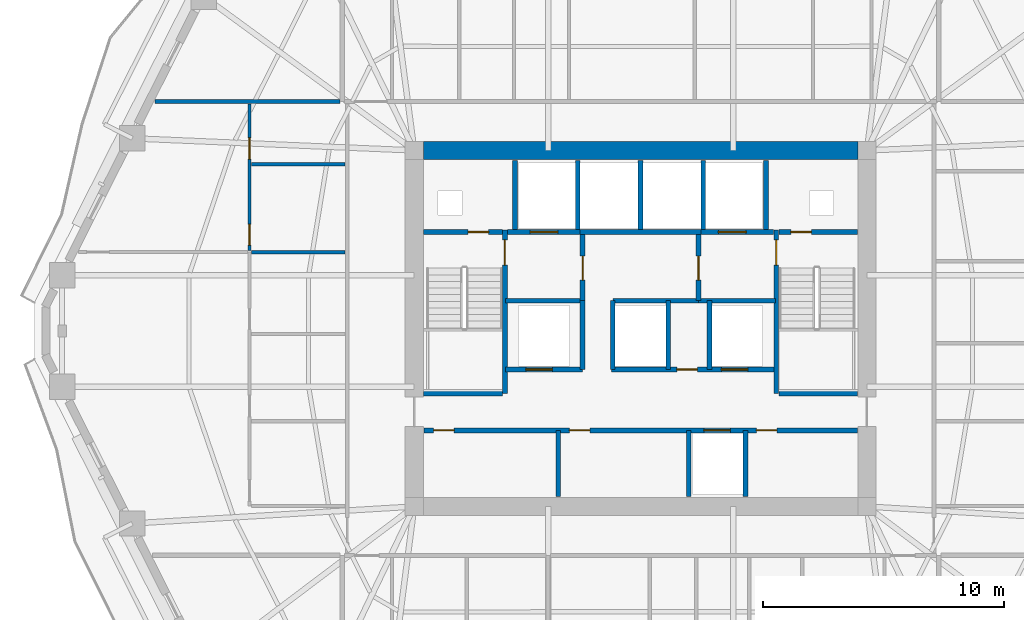
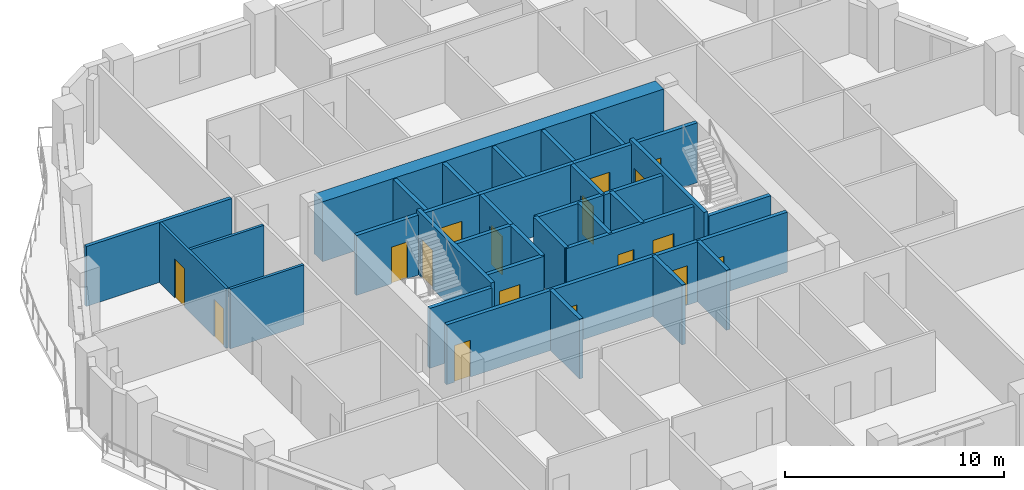
# One storey, part 5 of 12: 34 walls, 17 doors, 17 openings.
"""IFC4 building model written with IfcOpenShell, lengths in metres."""

import ifcopenshell
import ifcopenshell.guid

model = None  # the IFC model being written
_history = None  # IfcOwnerHistory: only IFC2X3 demands one
_inside = {}  # id of a spatial element -> (the spatial element, [elements in it])
_under = {}  # id of a project, library or spatial element -> (it, [spatial elements below it])
_declared = {}  # id of a project -> (the project, [libraries it declares])
_typed = {}  # id of a type object -> (the type object, [elements of that type])
_made_of = {}  # id of a material, layer set ... -> (it, [elements and type objects made of it])


def new_model(schema):
    """Start an empty IFC model of exactly this schema.

    Asked for "IFC4X3", IfcOpenShell would pick the latest addendum, in which some entities
    have other attributes; the version numbers below select the first issue.
    IFC2X3 requires an IfcOwnerHistory on every rooted entity: one is made here for all.
    """
    global model, _history
    if schema == "IFC4X3":
        model = ifcopenshell.file(schema_version=(4, 3, 0, 0))
    else:
        model = ifcopenshell.file(schema=schema)
    _inside.clear()
    _under.clear()
    _declared.clear()
    _typed.clear()
    _made_of.clear()
    _history = None
    if model.schema == "IFC2X3":
        org = make("IfcOrganization", Name="unknown")
        user = make(
            "IfcPersonAndOrganization",
            ThePerson=make("IfcPerson", FamilyName="unknown"),
            TheOrganization=org,
        )
        app = make(
            "IfcApplication",
            ApplicationDeveloper=org,
            Version="unknown",
            ApplicationFullName="unknown",
            ApplicationIdentifier="unknown",
        )
        _history = make(
            "IfcOwnerHistory",
            OwningUser=user,
            OwningApplication=app,
            ChangeAction="ADDED",
            CreationDate=0,
        )
    return model


def make(cls, **values):
    """One entity of the class cls with the attributes given. An attribute that is None is left unset."""
    return model.create_entity(
        cls, **{name: value for name, value in values.items() if value is not None}
    )


def rooted(cls, **values):
    """An entity with a GlobalId (a new one), such as an element, a storey or a relation."""
    return make(cls, GlobalId=ifcopenshell.guid.new(), OwnerHistory=_history, **values)


def si_unit(unit_type, name, prefix=None):
    """IfcSIUnit, for example si_unit("LENGTHUNIT", "METRE", prefix="MILLI")."""
    return make("IfcSIUnit", UnitType=unit_type, Prefix=prefix, Name=name)


def assignment(units):
    """IfcUnitAssignment: the units of a project."""
    return None if units is None else make("IfcUnitAssignment", Units=units)


def point(xyz):
    """IfcCartesianPoint."""
    return None if xyz is None else make("IfcCartesianPoint", Coordinates=xyz)


def direction(xyz):
    """IfcDirection."""
    return None if xyz is None else make("IfcDirection", DirectionRatios=xyz)


def frame(location, z_axis=None, x_axis=None):
    """IfcAxis2Placement3D, a coordinate frame: its origin and axes. An axis left out is left unset."""
    return make(
        "IfcAxis2Placement3D",
        Location=point(location),
        Axis=direction(z_axis),
        RefDirection=direction(x_axis),
    )


def frame_2d(location, x_axis=None):
    """IfcAxis2Placement2D, a coordinate frame in the plane: its origin and x axis."""
    return make(
        "IfcAxis2Placement2D", Location=point(location), RefDirection=direction(x_axis)
    )


def origin():
    """The frame at (0, 0, 0) with its axes left unset."""
    return frame((0.0, 0.0, 0.0))


def place(relative_to, where):
    """IfcLocalPlacement: puts the frame where relative to a parent placement (None: the world)."""
    return make(
        "IfcLocalPlacement", PlacementRelTo=relative_to, RelativePlacement=where
    )


def context(
    kind, dimensions, precision=None, world=None, true_north=None, identifier=None
):
    """IfcGeometricRepresentationContext, for example the 3D "Model" context."""
    return make(
        "IfcGeometricRepresentationContext",
        ContextIdentifier=identifier,
        ContextType=kind,
        CoordinateSpaceDimension=dimensions,
        Precision=precision,
        WorldCoordinateSystem=world,
        TrueNorth=true_north,
    )


def subcontext(parent, identifier, kind, view, scale=None):
    """IfcGeometricRepresentationSubContext, for example "Body" below "Model"."""
    return make(
        "IfcGeometricRepresentationSubContext",
        ContextIdentifier=identifier,
        ContextType=kind,
        ParentContext=parent,
        TargetScale=scale,
        TargetView=view,
    )


def project(units=None, contexts=None):
    """IfcProject with its units and contexts."""
    return rooted(
        "IfcProject",
        Name="project",
        RepresentationContexts=contexts,
        UnitsInContext=assignment(units),
    )


def spatial(cls, under=None, at=None, **own):
    """A site, building, storey or space (cls), placed at a placement, below another one or the project."""
    s = rooted(cls, ObjectPlacement=at, **own)
    if under is not None:
        _under.setdefault(under.id(), (under, []))[1].append(s)
    return s


def profile(cls, at=None, kind="AREA", **sizes):
    """A parametric profile (cls). Its sizes go by their IFC names, for example OverallWidth=200.0."""
    return make(cls, ProfileType=kind, Position=at, **sizes)


def rectangle(**sizes):
    """IfcRectangleProfileDef."""
    return profile("IfcRectangleProfileDef", **sizes)


def extrude(swept, where, along, depth):
    """IfcExtrudedAreaSolid: the profile swept, set in the frame where, extruded along a direction by depth."""
    return make(
        "IfcExtrudedAreaSolid",
        SweptArea=swept,
        Position=where,
        ExtrudedDirection=direction(along),
        Depth=depth,
    )


def shape(context_of_items, identifier, shape_type, items):
    """IfcShapeRepresentation: the items that make up one representation, for example the "Body"."""
    return make(
        "IfcShapeRepresentation",
        ContextOfItems=context_of_items,
        RepresentationIdentifier=identifier,
        RepresentationType=shape_type,
        Items=items,
    )


def material(Name=None, Category=None):
    """IfcMaterial."""
    return make("IfcMaterial", Name=Name, Category=Category)


def layer(
    of_material, thickness, ventilated=None, Name=None, Category=None, Priority=None
):
    """IfcMaterialLayer: one layer of a wall or slab, of a material (None: an air gap)."""
    return make(
        "IfcMaterialLayer",
        Material=of_material,
        LayerThickness=thickness,
        IsVentilated=ventilated,
        Name=Name,
        Category=Category,
        Priority=Priority,
    )


def layer_set(layers, Name=None):
    """IfcMaterialLayerSet."""
    return make("IfcMaterialLayerSet", MaterialLayers=layers, LayerSetName=Name)


def made_of(thing, what):
    """Note that an element or type object is made of a material, layer set ...; save() writes the relation."""
    if what is not None:
        _made_of.setdefault(what.id(), (what, []))[1].append(thing)
    return thing


def type_object(cls, material=None, **own):
    """A type object (cls), such as IfcWallType, which elements share."""
    return made_of(rooted(cls, **own), material)


def element(
    cls,
    number,
    at=None,
    inside=None,
    cuts=None,
    type_object=None,
    material=None,
    context=None,
    identifier="Body",
    shape_type=None,
    held_by="IfcProductDefinitionShape",
    body=None,
    shapes=None,
    **own,
):
    """One element of the class cls, such as IfcWall. Its Tag is "e" and its number.

    at: its placement. inside: the storey or other place that contains it. cuts: it is an
    opening in that element (IfcRelVoidsElement). A single representation is given by context,
    identifier, shape_type and body (its items); several are given by shapes. held_by: the class
    of the entity that holds the representations. save() writes the other relations.
    """
    e = rooted(cls, Tag="e%d" % number, ObjectPlacement=at, **own)
    if body is not None:
        shapes = [shape(context, identifier, shape_type, body)]
    if shapes is not None:
        e.Representation = make(held_by, Representations=shapes)
    if inside is not None:
        _inside.setdefault(inside.id(), (inside, []))[1].append(e)
    if cuts is not None:
        rooted(
            "IfcRelVoidsElement", RelatingBuildingElement=cuts, RelatedOpeningElement=e
        )
    if type_object is not None:
        _typed.setdefault(type_object.id(), (type_object, []))[1].append(e)
    return made_of(e, material)


def fill(opening, filler):
    """IfcRelFillsElement: the door or window that sits in an opening."""
    return rooted(
        "IfcRelFillsElement",
        RelatingOpeningElement=opening,
        RelatedBuildingElement=filler,
    )


def aggregate(whole, parts):
    """IfcRelAggregates: a whole, such as a stair, and the parts it consists of."""
    return rooted("IfcRelAggregates", RelatingObject=whole, RelatedObjects=parts)


def save(model, path):
    """Write the relations noted so far, then the file.

    IfcRelAggregates (storeys below a building ...), IfcRelContainedInSpatialStructure (elements
    in a storey), IfcRelDefinesByType, IfcRelAssociatesMaterial and IfcRelDeclares: one each for
    every whole, place, type object, material and project.
    """
    for whole, parts in _under.values():
        aggregate(whole, parts)
    for where, things in _inside.values():
        rooted(
            "IfcRelContainedInSpatialStructure",
            RelatedElements=things,
            RelatingStructure=where,
        )
    for kind, things in _typed.values():
        rooted("IfcRelDefinesByType", RelatedObjects=things, RelatingType=kind)
    for what, things in _made_of.values():
        rooted("IfcRelAssociatesMaterial", RelatedObjects=things, RelatingMaterial=what)
    for by, libraries in _declared.values():
        rooted("IfcRelDeclares", RelatingContext=by, RelatedDefinitions=libraries)
    model.write(path)


model = new_model("IFC4")

# Units and contexts
model_context = context("Model", 3, precision=1e-05, world=origin(), true_north=direction((0.0, 1.0)))
body_context = subcontext(model_context, "Body", "Model", "MODEL_VIEW")
ifc_project = project(units=[si_unit("LENGTHUNIT", "METRE"), si_unit("AREAUNIT", "SQUARE_METRE"), si_unit("VOLUMEUNIT", "CUBIC_METRE"), si_unit("PLANEANGLEUNIT", "RADIAN"), si_unit("MASSUNIT", "GRAM", prefix="KILO")], contexts=[model_context])

# Site, building, storey
site_placement = place(None, origin())
site = spatial("IfcSite", under=ifc_project, at=site_placement, CompositionType="ELEMENT")
building_placement = place(site_placement, origin())
building = spatial("IfcBuilding", under=site, at=building_placement, Name="Cinnabar Lancet Tower", CompositionType="ELEMENT")
storey_placement = place(building_placement, frame((0.0, 0.0, 126.800048828125)))
storey = spatial("IfcBuildingStorey", under=building, at=storey_placement, Name="L33", CompositionType="ELEMENT", Elevation=126.800048828125)

# Walls
ifc_material_1 = material(Name="Fire-rated twin-frame acoustic drywall", Category="gypsum")
ifc_layer_1 = layer(ifc_material_1, 0.179931640625)
ifc_layer_set_1 = layer_set([ifc_layer_1], Name="Fire-rated twin-frame acoustic drywall")
wall_type_1 = type_object("IfcWallType", Name="ARC-WL-PARTY-180", PredefinedType="PARTITIONING", material=ifc_layer_set_1)
wall_1_placement = place(storey_placement, frame((12.285888671875, 35.300048828125, 0.0), z_axis=(0.0, 0.0, 1.0), x_axis=(1.0, 0.0, 0.0)))
element("IfcWall", 1, at=wall_1_placement, inside=storey, type_object=wall_type_1, Name="PW-L33-WNB", PredefinedType="PARTITIONING", context=body_context, shape_type="SweptSolid", body=[
    extrude(rectangle(XDim=7.669189453125, YDim=0.179931640625, at=frame_2d((3.83447265625, 0.0))), origin(), (0.0, 0.0, 1.0), 3.33984375),
])
ifc_material_2 = material(Name="Autoclaved aerated concrete blockwork", Category="masonry")
ifc_layer_2 = layer(ifc_material_2, 0.199951171875)
ifc_layer_set_2 = layer_set([ifc_layer_2], Name="Autoclaved aerated concrete blockwork")
wall_type_2 = type_object("IfcWallType", Name="ARC-WL-SHAFT-200", PredefinedType="PLUMBINGWALL", material=ifc_layer_set_2)
for number, where, z_axis, x_axis, name in (
    (2, (23.405029296875, 23.199951171875, 0.0), (0.0, 0.0, 1.0), (1.0, 0.0, 0.0), "CW-ST1S-L33"),
    (3, (38.125, 23.199951171875, 0.0), (0.0, 0.0, 1.0), (1.0, 0.0, 0.0), "CW-ST2S-L33"),
):
    element("IfcWall", number, at=place(storey_placement, frame(where, z_axis=z_axis, x_axis=x_axis)), inside=storey, type_object=wall_type_2, Name=name, PredefinedType="PLUMBINGWALL", context=body_context, shape_type="SweptSolid", body=[
        extrude(rectangle(XDim=3.27001953125, YDim=0.199951171875, at=frame_2d((1.635009765625, 0.0))), origin(), (0.0, 0.0, 1.0), 3.33984375),
    ])

# Wall, opening, door
wall_2_placement = place(storey_placement, frame((23.405029296875, 29.89990234375, 0.0), z_axis=(0.0, 0.0, 1.0), x_axis=(1.0, 0.0, 0.0)))
wall_2 = element("IfcWall", 4, at=wall_2_placement, inside=storey, type_object=wall_type_2, Name="CW-NSH-W-L33", PredefinedType="PLUMBINGWALL", context=body_context, shape_type="SweptSolid", body=[
    extrude(rectangle(XDim=3.27001953125, YDim=0.199951171875, at=frame_2d((1.635009765625, 0.0))), origin(), (0.0, 0.0, 1.0), 3.33984375),
])
opening_1_placement = place(wall_2_placement, frame((1.85009765625, 0.0, 0.0)))
opening_1 = element("IfcOpeningElement", 5, at=opening_1_placement, cuts=wall_2, Name="Opening PD-02", PredefinedType="OPENING", context=body_context, shape_type="SweptSolid", body=[
    extrude(rectangle(XDim=0.85009765625, YDim=2.050048828125, at=frame_2d((0.425048828125, 1.02490234375))), frame((0.0, 0.10986328125, 0.0), z_axis=(0.0, -1.0, 0.0), x_axis=(1.0, 0.0, 0.0)), (0.0, 0.0, 1.0), 0.219970703125),
])
ifc_material_3 = material(Name="Fire-rated steel riser access door", Category="steel")
door_type_1 = type_object("IfcDoorType", Name="ARC-DR-RISER", OperationType="NOTDEFINED", PredefinedType="DOOR", material=ifc_material_3)
door_1_placement = place(opening_1_placement, origin())
door_1 = element("IfcDoor", 6, at=door_1_placement, inside=storey, type_object=door_type_1, Name="L33 West Riser Access Door", OperationType="SINGLE_SWING_LEFT", OverallHeight=2.050048828125, OverallWidth=0.85009765625, PredefinedType="DOOR", context=body_context, shape_type="SweptSolid", body=[
    extrude(rectangle(XDim=0.85009765625, YDim=2.050048828125, at=frame_2d((0.425048828125, 1.02490234375))), frame((0.0, 0.02490234375, 0.0), z_axis=(0.0, -1.0, 0.0), x_axis=(1.0, 0.0, 0.0)), (0.0, 0.0, 1.0), 0.050048828125),
])
fill(opening_1, door_1)

wall_3_placement = place(storey_placement, frame((26.885009765625, 29.89990234375, 0.0), z_axis=(0.0, 0.0, 1.0), x_axis=(1.0, 0.0, 0.0)))
wall_3 = element("IfcWall", 7, at=wall_3_placement, inside=storey, type_object=wall_type_2, Name="CW-FL1-L33", PredefinedType="PLUMBINGWALL", context=body_context, shape_type="SweptSolid", body=[
    extrude(rectangle(XDim=3.014892578125, YDim=0.199951171875, at=frame_2d((1.50732421875, 0.0))), origin(), (0.0, 0.0, 1.0), 3.33984375),
])
opening_2_placement = place(wall_3_placement, frame((0.93994140625, 0.0, 0.0)))
opening_2 = element("IfcOpeningElement", 8, at=opening_2_placement, cuts=wall_3, Name="Opening LD-02", PredefinedType="OPENING", context=body_context, shape_type="SweptSolid", body=[
    extrude(rectangle(XDim=1.14990234375, YDim=2.199951171875, at=frame_2d((0.574951171875, 1.10009765625))), frame((0.0, 0.10986328125, 0.0), z_axis=(0.0, -1.0, 0.0), x_axis=(1.0, 0.0, 0.0)), (0.0, 0.0, 1.0), 0.219970703125),
])
ifc_material_4 = material(Name="Fire-rated stainless steel firefighting lift landing door", Category="steel")
door_type_2 = type_object("IfcDoorType", Name="ARC-DR-LD-FIRE", OperationType="NOTDEFINED", PredefinedType="DOOR", material=ifc_material_4)
door_2_placement = place(opening_2_placement, origin())
door_2 = element("IfcDoor", 9, at=door_2_placement, inside=storey, type_object=door_type_2, Name="L33 Firefighting Lift FL-1 Landing Door", OperationType="DOUBLE_DOOR_SLIDING", OverallHeight=2.199951171875, OverallWidth=1.14990234375, PredefinedType="DOOR", context=body_context, shape_type="SweptSolid", body=[
    extrude(rectangle(XDim=1.14990234375, YDim=2.199951171875, at=frame_2d((0.574951171875, 1.10009765625))), frame((0.0, 0.02490234375, 0.0), z_axis=(0.0, -1.0, 0.0), x_axis=(1.0, 0.0, 0.0)), (0.0, 0.0, 1.0), 0.050048828125),
])
fill(opening_2, door_2)

# Wall
wall_4_placement = place(storey_placement, frame((29.89990234375, 29.89990234375, 0.0), z_axis=(0.0, 0.0, 1.0), x_axis=(1.0, 0.0, 0.0)))
element("IfcWall", 10, at=wall_4_placement, inside=storey, type_object=wall_type_2, Name="CW-PL78-L33", PredefinedType="PLUMBINGWALL", context=body_context, shape_type="SweptSolid", body=[
    extrude(rectangle(XDim=5.0, YDim=0.199951171875, at=frame_2d((2.5, 0.0))), origin(), (0.0, 0.0, 1.0), 3.33984375),
])

# Wall, opening, door
wall_5_placement = place(storey_placement, frame((34.89990234375, 29.89990234375, 0.0), z_axis=(0.0, 0.0, 1.0), x_axis=(1.0, 0.0, 0.0)))
wall_5 = element("IfcWall", 11, at=wall_5_placement, inside=storey, type_object=wall_type_2, Name="CW-FL2-L33", PredefinedType="PLUMBINGWALL", context=body_context, shape_type="SweptSolid", body=[
    extrude(rectangle(XDim=3.01513671875, YDim=0.199951171875, at=frame_2d((1.507568359375, 0.0))), origin(), (0.0, 0.0, 1.0), 3.33984375),
])
opening_3_placement = place(wall_5_placement, frame((0.72509765625, 0.0, 0.0)))
opening_3 = element("IfcOpeningElement", 12, at=opening_3_placement, cuts=wall_5, Name="Opening LD-02", PredefinedType="OPENING", context=body_context, shape_type="SweptSolid", body=[
    extrude(rectangle(XDim=1.14990234375, YDim=2.199951171875, at=frame_2d((0.574951171875, 1.10009765625))), frame((0.0, 0.10986328125, 0.0), z_axis=(0.0, -1.0, 0.0), x_axis=(1.0, 0.0, 0.0)), (0.0, 0.0, 1.0), 0.219970703125),
])
door_3_placement = place(opening_3_placement, origin())
door_3 = element("IfcDoor", 13, at=door_3_placement, inside=storey, type_object=door_type_2, Name="L33 Firefighting Lift FL-2 Landing Door", OperationType="DOUBLE_DOOR_SLIDING", OverallHeight=2.199951171875, OverallWidth=1.14990234375, PredefinedType="DOOR", context=body_context, shape_type="SweptSolid", body=[
    extrude(rectangle(XDim=1.14990234375, YDim=2.199951171875, at=frame_2d((0.574951171875, 1.10009765625))), frame((0.0, 0.02490234375, 0.0), z_axis=(0.0, -1.0, 0.0), x_axis=(1.0, 0.0, 0.0)), (0.0, 0.0, 1.0), 0.050048828125),
])
fill(opening_3, door_3)

wall_6_placement = place(storey_placement, frame((38.125, 29.89990234375, 0.0), z_axis=(0.0, 0.0, 1.0), x_axis=(1.0, 0.0, 0.0)))
wall_6 = element("IfcWall", 14, at=wall_6_placement, inside=storey, type_object=wall_type_2, Name="CW-NSH-E-L33", PredefinedType="PLUMBINGWALL", context=body_context, shape_type="SweptSolid", body=[
    extrude(rectangle(XDim=3.27001953125, YDim=0.199951171875, at=frame_2d((1.635009765625, 0.0))), origin(), (0.0, 0.0, 1.0), 3.33984375),
])
opening_4_placement = place(wall_6_placement, frame((0.5, 0.0, 0.0)))
opening_4 = element("IfcOpeningElement", 15, at=opening_4_placement, cuts=wall_6, Name="Opening PD-02", PredefinedType="OPENING", context=body_context, shape_type="SweptSolid", body=[
    extrude(rectangle(XDim=0.85009765625, YDim=2.050048828125, at=frame_2d((0.425048828125, 1.02490234375))), frame((0.0, 0.10986328125, 0.0), z_axis=(0.0, -1.0, 0.0), x_axis=(1.0, 0.0, 0.0)), (0.0, 0.0, 1.0), 0.219970703125),
])
door_4_placement = place(opening_4_placement, origin())
door_4 = element("IfcDoor", 16, at=door_4_placement, inside=storey, type_object=door_type_1, Name="L33 East Riser Access Door", OperationType="SINGLE_SWING_RIGHT", OverallHeight=2.050048828125, OverallWidth=0.85009765625, PredefinedType="DOOR", context=body_context, shape_type="SweptSolid", body=[
    extrude(rectangle(XDim=0.85009765625, YDim=2.050048828125, at=frame_2d((0.425048828125, 1.02490234375))), frame((0.0, 0.02490234375, 0.0), z_axis=(0.0, -1.0, 0.0), x_axis=(1.0, 0.0, 0.0)), (0.0, 0.0, 1.0), 0.050048828125),
])
fill(opening_4, door_4)

# Walls
for number, where, z_axis, x_axis, name in (
    (17, (27.199951171875, 30.0, 0.0), (0.0, 0.0, 1.0), (0.0, 1.0, 0.0), "CW-NSH-D1-L33"),
    (18, (29.800048828125, 30.0, 0.0), (0.0, 0.0, 1.0), (0.0, 1.0, 0.0), "CW-NSH-D2-L33"),
    (19, (32.39990234375, 30.0, 0.0), (0.0, 0.0, 1.0), (0.0, 1.0, 0.0), "CW-NSH-D3-L33"),
    (20, (35.0, 30.0, 0.0), (0.0, 0.0, 1.0), (0.0, 1.0, 0.0), "CW-NSH-D4-L33"),
    (21, (37.60009765625, 30.0, 0.0), (0.0, 0.0, 1.0), (0.0, 1.0, 0.0), "CW-NSH-D5-L33"),
):
    element("IfcWall", number, at=place(storey_placement, frame(where, z_axis=z_axis, x_axis=x_axis)), inside=storey, type_object=wall_type_2, Name=name, PredefinedType="PLUMBINGWALL", context=body_context, shape_type="SweptSolid", body=[
        extrude(rectangle(XDim=2.85009765625, YDim=0.199951171875, at=frame_2d((1.425048828125, 0.0))), origin(), (0.0, 0.0, 1.0), 3.33984375),
    ])

# Wall, opening, door
wall_7_placement = place(storey_placement, frame((30.0, 27.050048828125, 0.0), z_axis=(0.0, 0.0, 1.0), x_axis=(0.0, 1.0, 0.0)))
wall_7 = element("IfcWall", 22, at=wall_7_placement, inside=storey, type_object=wall_type_2, Name="CW-FF1E-L33", PredefinedType="PLUMBINGWALL", context=body_context, shape_type="SweptSolid", body=[
    extrude(rectangle(XDim=2.75, YDim=0.199951171875, at=frame_2d((1.375, 0.0))), origin(), (0.0, 0.0, 1.0), 3.33984375),
])
opening_5_placement = place(wall_7_placement, frame((0.85009765625, 0.0, 0.0)))
opening_5 = element("IfcOpeningElement", 23, at=opening_5_placement, cuts=wall_7, Name="Opening FD-01", PredefinedType="OPENING", context=body_context, shape_type="SweptSolid", body=[
    extrude(rectangle(XDim=1.0, YDim=2.14990234375, at=frame_2d((0.5, 1.074951171875))), frame((0.0, 0.10986328125, 0.0), z_axis=(0.0, -1.0, 0.0), x_axis=(1.0, 0.0, 0.0)), (0.0, 0.0, 1.0), 0.219970703125),
])
ifc_material_5 = material(Name="Fire-rated timber-core lobby door", Category="wood")
door_type_3 = type_object("IfcDoorType", Name="ARC-DR-FFAL", OperationType="NOTDEFINED", PredefinedType="DOOR", material=ifc_material_5)
door_5_placement = place(opening_5_placement, origin())
door_5 = element("IfcDoor", 24, at=door_5_placement, inside=storey, type_object=door_type_3, Name="L33 FFAL-1 Lobby Fire Door", OperationType="SINGLE_SWING_RIGHT", OverallHeight=2.14990234375, OverallWidth=1.0, PredefinedType="DOOR", context=body_context, shape_type="SweptSolid", body=[
    extrude(rectangle(XDim=1.0, YDim=2.14990234375, at=frame_2d((0.5, 1.074951171875))), frame((0.0, 0.02490234375, 0.0), z_axis=(0.0, -1.0, 0.0), x_axis=(1.0, 0.0, 0.0)), (0.0, 0.0, 1.0), 0.050048828125),
])
fill(opening_5, door_5)

# Wall
wall_8_placement = place(storey_placement, frame((26.800048828125, 27.050048828125, 0.0), z_axis=(0.0, 0.0, 1.0), x_axis=(1.0, 0.0, 0.0)))
element("IfcWall", 25, at=wall_8_placement, inside=storey, type_object=wall_type_2, Name="CW-FF1S-L33", PredefinedType="PLUMBINGWALL", context=body_context, shape_type="SweptSolid", body=[
    extrude(rectangle(XDim=3.199951171875, YDim=0.199951171875, at=frame_2d((1.60009765625, 0.0))), origin(), (0.0, 0.0, 1.0), 3.33984375),
])

# Wall, opening, door
wall_9_placement = place(storey_placement, frame((34.800048828125, 27.050048828125, 0.0), z_axis=(0.0, 0.0, 1.0), x_axis=(0.0, 1.0, 0.0)))
wall_9 = element("IfcWall", 26, at=wall_9_placement, inside=storey, type_object=wall_type_2, Name="CW-FF2W-L33", PredefinedType="PLUMBINGWALL", context=body_context, shape_type="SweptSolid", body=[
    extrude(rectangle(XDim=2.75, YDim=0.199951171875, at=frame_2d((1.375, 0.0))), origin(), (0.0, 0.0, 1.0), 3.33984375),
])
opening_6_placement = place(wall_9_placement, frame((0.85009765625, 0.0, 0.0)))
opening_6 = element("IfcOpeningElement", 27, at=opening_6_placement, cuts=wall_9, Name="Opening FD-01", PredefinedType="OPENING", context=body_context, shape_type="SweptSolid", body=[
    extrude(rectangle(XDim=1.0, YDim=2.14990234375, at=frame_2d((0.5, 1.074951171875))), frame((0.0, 0.10986328125, 0.0), z_axis=(0.0, -1.0, 0.0), x_axis=(1.0, 0.0, 0.0)), (0.0, 0.0, 1.0), 0.219970703125),
])
door_6_placement = place(opening_6_placement, origin())
door_6 = element("IfcDoor", 28, at=door_6_placement, inside=storey, type_object=door_type_3, Name="L33 FFAL-2 Lobby Fire Door", OperationType="SINGLE_SWING_LEFT", OverallHeight=2.14990234375, OverallWidth=1.0, PredefinedType="DOOR", context=body_context, shape_type="SweptSolid", body=[
    extrude(rectangle(XDim=1.0, YDim=2.14990234375, at=frame_2d((0.5, 1.074951171875))), frame((0.0, 0.02490234375, 0.0), z_axis=(0.0, -1.0, 0.0), x_axis=(1.0, 0.0, 0.0)), (0.0, 0.0, 1.0), 0.050048828125),
])
fill(opening_6, door_6)

# Wall
wall_10_placement = place(storey_placement, frame((34.800048828125, 27.050048828125, 0.0), z_axis=(0.0, 0.0, 1.0), x_axis=(1.0, 0.0, 0.0)))
element("IfcWall", 29, at=wall_10_placement, inside=storey, type_object=wall_type_2, Name="CW-FF2S-L33", PredefinedType="PLUMBINGWALL", context=body_context, shape_type="SweptSolid", body=[
    extrude(rectangle(XDim=3.199951171875, YDim=0.199951171875, at=frame_2d((1.60009765625, 0.0))), origin(), (0.0, 0.0, 1.0), 3.33984375),
])

# Wall, opening, door
wall_11_placement = place(storey_placement, frame((26.800048828125, 24.199951171875, 0.0), z_axis=(0.0, 0.0, 1.0), x_axis=(1.0, 0.0, 0.0)))
wall_11 = element("IfcWall", 30, at=wall_11_placement, inside=storey, type_object=wall_type_2, Name="CW-PL5S-L33", PredefinedType="PLUMBINGWALL", context=body_context, shape_type="SweptSolid", body=[
    extrude(rectangle(XDim=3.199951171875, YDim=0.199951171875, at=frame_2d((1.60009765625, 0.0))), origin(), (0.0, 0.0, 1.0), 3.33984375),
])
opening_7_placement = place(wall_11_placement, frame((0.85009765625, 0.0, 0.0)))
opening_7 = element("IfcOpeningElement", 31, at=opening_7_placement, cuts=wall_11, Name="Opening LD-01", PredefinedType="OPENING", context=body_context, shape_type="SweptSolid", body=[
    extrude(rectangle(XDim=1.10009765625, YDim=2.199951171875, at=frame_2d((0.550048828125, 1.10009765625))), frame((0.0, 0.10986328125, 0.0), z_axis=(0.0, -1.0, 0.0), x_axis=(1.0, 0.0, 0.0)), (0.0, 0.0, 1.0), 0.219970703125),
])
ifc_material_6 = material(Name="Brushed stainless steel sliding lift door", Category="steel")
door_type_4 = type_object("IfcDoorType", Name="ARC-DR-LD-PASS", OperationType="NOTDEFINED", PredefinedType="DOOR", material=ifc_material_6)
door_7_placement = place(opening_7_placement, origin())
door_7 = element("IfcDoor", 32, at=door_7_placement, inside=storey, type_object=door_type_4, Name="L33 Lift PL-5 Landing Door", OperationType="DOUBLE_DOOR_SLIDING", OverallHeight=2.199951171875, OverallWidth=1.10009765625, PredefinedType="DOOR", context=body_context, shape_type="SweptSolid", body=[
    extrude(rectangle(XDim=1.10009765625, YDim=2.199951171875, at=frame_2d((0.550048828125, 1.10009765625))), frame((0.0, 0.02490234375, 0.0), z_axis=(0.0, -1.0, 0.0), x_axis=(1.0, 0.0, 0.0)), (0.0, 0.0, 1.0), 0.050048828125),
])
fill(opening_7, door_7)

# Wall
wall_12_placement = place(storey_placement, frame((30.0, 24.199951171875, 0.0), z_axis=(0.0, 0.0, 1.0), x_axis=(0.0, 1.0, 0.0)))
element("IfcWall", 33, at=wall_12_placement, inside=storey, type_object=wall_type_2, Name="CW-PL5E-L33", PredefinedType="PLUMBINGWALL", context=body_context, shape_type="SweptSolid", body=[
    extrude(rectangle(XDim=2.85009765625, YDim=0.199951171875, at=frame_2d((1.425048828125, 0.0))), origin(), (0.0, 0.0, 1.0), 3.33984375),
])

# Wall, openings, doors
wall_13_placement = place(storey_placement, frame((31.199951171875, 24.199951171875, 0.0), z_axis=(0.0, 0.0, 1.0), x_axis=(1.0, 0.0, 0.0)))
wall_13 = element("IfcWall", 34, at=wall_13_placement, inside=storey, type_object=wall_type_2, Name="CW-PL96S-L33", PredefinedType="PLUMBINGWALL", context=body_context, shape_type="SweptSolid", body=[
    extrude(rectangle(XDim=6.800048828125, YDim=0.199951171875, at=frame_2d((3.39990234375, 0.0))), origin(), (0.0, 0.0, 1.0), 3.33984375),
])
opening_8_placement = place(wall_13_placement, frame((2.699951171875, 0.0, 0.0)))
opening_8 = element("IfcOpeningElement", 35, at=opening_8_placement, cuts=wall_13, Name="Opening PD-02", PredefinedType="OPENING", context=body_context, shape_type="SweptSolid", body=[
    extrude(rectangle(XDim=0.85009765625, YDim=2.050048828125, at=frame_2d((0.425048828125, 1.02490234375))), frame((0.0, 0.10986328125, 0.0), z_axis=(0.0, -1.0, 0.0), x_axis=(1.0, 0.0, 0.0)), (0.0, 0.0, 1.0), 0.219970703125),
])
opening_9_placement = place(wall_13_placement, frame((4.550048828125, 0.0, 0.0)))
opening_9 = element("IfcOpeningElement", 36, at=opening_9_placement, cuts=wall_13, Name="Opening LD-01", PredefinedType="OPENING", context=body_context, shape_type="SweptSolid", body=[
    extrude(rectangle(XDim=1.10009765625, YDim=2.199951171875, at=frame_2d((0.550048828125, 1.10009765625))), frame((0.0, 0.10986328125, 0.0), z_axis=(0.0, -1.0, 0.0), x_axis=(1.0, 0.0, 0.0)), (0.0, 0.0, 1.0), 0.219970703125),
])
door_8_placement = place(opening_9_placement, origin())
door_8 = element("IfcDoor", 37, at=door_8_placement, inside=storey, type_object=door_type_4, Name="L33 Lift PL-6 Landing Door", OperationType="DOUBLE_DOOR_SLIDING", OverallHeight=2.199951171875, OverallWidth=1.10009765625, PredefinedType="DOOR", context=body_context, shape_type="SweptSolid", body=[
    extrude(rectangle(XDim=1.10009765625, YDim=2.199951171875, at=frame_2d((0.550048828125, 1.10009765625))), frame((0.0, 0.02490234375, 0.0), z_axis=(0.0, -1.0, 0.0), x_axis=(1.0, 0.0, 0.0)), (0.0, 0.0, 1.0), 0.050048828125),
])
fill(opening_9, door_8)
door_9_placement = place(opening_8_placement, origin())
door_9 = element("IfcDoor", 38, at=door_9_placement, inside=storey, type_object=door_type_1, Name="L33 BMS Closet Door", OperationType="SINGLE_SWING_LEFT", OverallHeight=2.050048828125, OverallWidth=0.85009765625, PredefinedType="DOOR", context=body_context, shape_type="SweptSolid", body=[
    extrude(rectangle(XDim=0.85009765625, YDim=2.050048828125, at=frame_2d((0.425048828125, 1.02490234375))), frame((0.0, 0.02490234375, 0.0), z_axis=(0.0, -1.0, 0.0), x_axis=(1.0, 0.0, 0.0)), (0.0, 0.0, 1.0), 0.050048828125),
])
fill(opening_8, door_9)

# Walls
for number, where, z_axis, x_axis, name in (
    (39, (31.25, 24.199951171875, 0.0), (0.0, 0.0, 1.0), (0.0, 1.0, 0.0), "CW-PL9W-L33"),
    (40, (33.550048828125, 24.199951171875, 0.0), (0.0, 0.0, 1.0), (0.0, 1.0, 0.0), "CW-PL9E-L33"),
    (41, (35.25, 24.199951171875, 0.0), (0.0, 0.0, 1.0), (0.0, 1.0, 0.0), "CW-PL6W-L33"),
):
    element("IfcWall", number, at=place(storey_placement, frame(where, z_axis=z_axis, x_axis=x_axis)), inside=storey, type_object=wall_type_2, Name=name, PredefinedType="PLUMBINGWALL", context=body_context, shape_type="SweptSolid", body=[
        extrude(rectangle(XDim=2.85009765625, YDim=0.199951171875, at=frame_2d((1.425048828125, 0.0))), origin(), (0.0, 0.0, 1.0), 3.33984375),
    ])
wall_14_placement = place(storey_placement, frame((31.25, 27.050048828125, 0.0), z_axis=(0.0, 0.0, 1.0), x_axis=(1.0, 0.0, 0.0)))
element("IfcWall", 42, at=wall_14_placement, inside=storey, type_object=wall_type_2, Name="CW-PL96N-L33", PredefinedType="PLUMBINGWALL", context=body_context, shape_type="SweptSolid", body=[
    extrude(rectangle(XDim=3.550048828125, YDim=0.199951171875, at=frame_2d((1.77490234375, 0.0))), origin(), (0.0, 0.0, 1.0), 3.33984375),
])

# Wall, openings, doors
wall_15_placement = place(storey_placement, frame((23.419921875, 21.679931640625, 0.0), z_axis=(0.0, 0.0, 1.0), x_axis=(1.0, 0.0, 0.0)))
wall_15 = element("IfcWall", 43, at=wall_15_placement, inside=storey, type_object=wall_type_2, Name="CW-SBANDN-L33", PredefinedType="PLUMBINGWALL", context=body_context, shape_type="SweptSolid", body=[
    extrude(rectangle(XDim=17.9599609375, YDim=0.199951171875, at=frame_2d((8.97998046875, 0.0))), origin(), (0.0, 0.0, 1.0), 3.33984375),
])
opening_10_placement = place(wall_15_placement, frame((11.60009765625, 0.0, 0.0)))
opening_10 = element("IfcOpeningElement", 44, at=opening_10_placement, cuts=wall_15, Name="Opening LD-01", PredefinedType="OPENING", context=body_context, shape_type="SweptSolid", body=[
    extrude(rectangle(XDim=1.10009765625, YDim=2.199951171875, at=frame_2d((0.550048828125, 1.10009765625))), frame((0.0, 0.10986328125, 0.0), z_axis=(0.0, -1.0, 0.0), x_axis=(1.0, 0.0, 0.0)), (0.0, 0.0, 1.0), 0.219970703125),
])
opening_11_placement = place(wall_15_placement, frame((0.409912109375, 0.0, 0.0)))
opening_11 = element("IfcOpeningElement", 45, at=opening_11_placement, cuts=wall_15, Name="Opening PD-02", PredefinedType="OPENING", context=body_context, shape_type="SweptSolid", body=[
    extrude(rectangle(XDim=0.85009765625, YDim=2.050048828125, at=frame_2d((0.425048828125, 1.02490234375))), frame((0.0, 0.10986328125, 0.0), z_axis=(0.0, -1.0, 0.0), x_axis=(1.0, 0.0, 0.0)), (0.0, 0.0, 1.0), 0.219970703125),
])
opening_12_placement = place(wall_15_placement, frame((6.030029296875, 0.0, 0.0)))
opening_12 = element("IfcOpeningElement", 46, at=opening_12_placement, cuts=wall_15, Name="Opening PD-02", PredefinedType="OPENING", context=body_context, shape_type="SweptSolid", body=[
    extrude(rectangle(XDim=0.85009765625, YDim=2.050048828125, at=frame_2d((0.425048828125, 1.02490234375))), frame((0.0, 0.10986328125, 0.0), z_axis=(0.0, -1.0, 0.0), x_axis=(1.0, 0.0, 0.0)), (0.0, 0.0, 1.0), 0.219970703125),
])
opening_13_placement = place(wall_15_placement, frame((13.780029296875, 0.0, 0.0)))
opening_13 = element("IfcOpeningElement", 47, at=opening_13_placement, cuts=wall_15, Name="Opening PD-02", PredefinedType="OPENING", context=body_context, shape_type="SweptSolid", body=[
    extrude(rectangle(XDim=0.85009765625, YDim=2.050048828125, at=frame_2d((0.425048828125, 1.02490234375))), frame((0.0, 0.10986328125, 0.0), z_axis=(0.0, -1.0, 0.0), x_axis=(1.0, 0.0, 0.0)), (0.0, 0.0, 1.0), 0.219970703125),
])
door_10_placement = place(opening_10_placement, origin())
door_10 = element("IfcDoor", 48, at=door_10_placement, inside=storey, type_object=door_type_4, Name="L33 Lift PL-4 Landing Door", OperationType="DOUBLE_DOOR_SLIDING", OverallHeight=2.199951171875, OverallWidth=1.10009765625, PredefinedType="DOOR", context=body_context, shape_type="SweptSolid", body=[
    extrude(rectangle(XDim=1.10009765625, YDim=2.199951171875, at=frame_2d((0.550048828125, 1.10009765625))), frame((0.0, 0.02490234375, 0.0), z_axis=(0.0, -1.0, 0.0), x_axis=(1.0, 0.0, 0.0)), (0.0, 0.0, 1.0), 0.050048828125),
])
fill(opening_10, door_10)
door_11_placement = place(opening_11_placement, origin())
door_11 = element("IfcDoor", 49, at=door_11_placement, inside=storey, type_object=door_type_1, Name="DR-L33-MREC1", OperationType="SINGLE_SWING_LEFT", OverallHeight=2.050048828125, OverallWidth=0.85009765625, PredefinedType="DOOR", context=body_context, shape_type="SweptSolid", body=[
    extrude(rectangle(XDim=0.85009765625, YDim=2.050048828125, at=frame_2d((0.425048828125, 1.02490234375))), frame((0.0, 0.02490234375, 0.0), z_axis=(0.0, -1.0, 0.0), x_axis=(1.0, 0.0, 0.0)), (0.0, 0.0, 1.0), 0.050048828125),
])
fill(opening_11, door_11)
door_12_placement = place(opening_12_placement, origin())
door_12 = element("IfcDoor", 50, at=door_12_placement, inside=storey, type_object=door_type_1, Name="DR-L33-MREC2", OperationType="SINGLE_SWING_RIGHT", OverallHeight=2.050048828125, OverallWidth=0.85009765625, PredefinedType="DOOR", context=body_context, shape_type="SweptSolid", body=[
    extrude(rectangle(XDim=0.85009765625, YDim=2.050048828125, at=frame_2d((0.425048828125, 1.02490234375))), frame((0.0, 0.02490234375, 0.0), z_axis=(0.0, -1.0, 0.0), x_axis=(1.0, 0.0, 0.0)), (0.0, 0.0, 1.0), 0.050048828125),
])
fill(opening_12, door_12)
door_13_placement = place(opening_13_placement, origin())
door_13 = element("IfcDoor", 51, at=door_13_placement, inside=storey, type_object=door_type_1, Name="DR-L33-MREC3", OperationType="SINGLE_SWING_LEFT", OverallHeight=2.050048828125, OverallWidth=0.85009765625, PredefinedType="DOOR", context=body_context, shape_type="SweptSolid", body=[
    extrude(rectangle(XDim=0.85009765625, YDim=2.050048828125, at=frame_2d((0.425048828125, 1.02490234375))), frame((0.0, 0.02490234375, 0.0), z_axis=(0.0, -1.0, 0.0), x_axis=(1.0, 0.0, 0.0)), (0.0, 0.0, 1.0), 0.050048828125),
])
fill(opening_13, door_13)

# Walls
for number, where, z_axis, x_axis, name in (
    (52, (34.39990234375, 18.949951171875, 0.0), (0.0, 0.0, 1.0), (0.0, 1.0, 0.0), "CW-SB-3440-L33"),
    (53, (36.75, 18.949951171875, 0.0), (0.0, 0.0, 1.0), (0.0, 1.0, 0.0), "CW-SB-3675-L33"),
    (54, (28.989990234375, 18.949951171875, 0.0), (0.0, 0.0, 1.0), (0.0, 1.0, 0.0), "CW-SB-2899-L33"),
):
    element("IfcWall", number, at=place(storey_placement, frame(where, z_axis=z_axis, x_axis=x_axis)), inside=storey, type_object=wall_type_2, Name=name, PredefinedType="PLUMBINGWALL", context=body_context, shape_type="SweptSolid", body=[
        extrude(rectangle(XDim=2.72998046875, YDim=0.199951171875, at=frame_2d((1.364990234375, 0.0))), origin(), (0.0, 0.0, 1.0), 3.33984375),
    ])

# Wall, openings, doors
ifc_material_7 = material(Name="Moisture-resistant cement-board plumbing wall", Category="masonry")
ifc_layer_3 = layer(ifc_material_7, 0.139892578125)
ifc_layer_set_3 = layer_set([ifc_layer_3], Name="Moisture-resistant cement-board plumbing wall")
wall_type_3 = type_object("IfcWallType", Name="ARC-WL-WET-140", PredefinedType="PLUMBINGWALL", material=ifc_layer_set_3)
wall_16_placement = place(storey_placement, frame((16.199951171875, 29.134033203125, 0.0), z_axis=(0.0, 0.0, 1.0), x_axis=(0.0, 1.0, 0.0)))
wall_16 = element("IfcWall", 55, at=wall_16_placement, inside=storey, type_object=wall_type_3, Name="UW-L33-W01-SPM", PredefinedType="PLUMBINGWALL", context=body_context, shape_type="SweptSolid", body=[
    extrude(rectangle(XDim=6.071044921875, YDim=0.139892578125, at=frame_2d((3.03564453125, 0.0))), origin(), (0.0, 0.0, 1.0), 3.33984375),
])
opening_14_placement = place(wall_16_placement, frame((0.219970703125, 0.0, 0.0)))
opening_14 = element("IfcOpeningElement", 56, at=opening_14_placement, cuts=wall_16, Name="Opening BD-01", PredefinedType="OPENING", context=body_context, shape_type="SweptSolid", body=[
    extrude(rectangle(XDim=0.860107421875, YDim=2.10009765625, at=frame_2d((0.43017578125, 1.050048828125))), frame((0.0, 0.079833984375, 0.0), z_axis=(0.0, -1.0, 0.0), x_axis=(1.0, 0.0, 0.0)), (0.0, 0.0, 1.0), 0.159912109375),
])
opening_15_placement = place(wall_16_placement, frame((3.785888671875, 0.0, 0.0)))
opening_15 = element("IfcOpeningElement", 57, at=opening_15_placement, cuts=wall_16, Name="Opening RD-02", PredefinedType="OPENING", context=body_context, shape_type="SweptSolid", body=[
    extrude(rectangle(XDim=0.8798828125, YDim=2.14990234375, at=frame_2d((0.43994140625, 1.074951171875))), frame((0.0, 0.079833984375, 0.0), z_axis=(0.0, -1.0, 0.0), x_axis=(1.0, 0.0, 0.0)), (0.0, 0.0, 1.0), 0.159912109375),
])
ifc_material_8 = material(Name="Moisture-resistant timber bathroom door", Category="wood")
door_type_5 = type_object("IfcDoorType", Name="ARC-DR-BATH", OperationType="NOTDEFINED", PredefinedType="DOOR", material=ifc_material_8)
door_14_placement = place(opening_14_placement, origin())
door_14 = element("IfcDoor", 58, at=door_14_placement, inside=storey, type_object=door_type_5, Name="DR-L33-W01-ENS", OperationType="SINGLE_SWING_RIGHT", OverallHeight=2.10009765625, OverallWidth=0.860107421875, PredefinedType="DOOR", context=body_context, shape_type="SweptSolid", body=[
    extrude(rectangle(XDim=0.860107421875, YDim=2.10009765625, at=frame_2d((0.43017578125, 1.050048828125))), frame((0.0, 0.02490234375, 0.0), z_axis=(0.0, -1.0, 0.0), x_axis=(1.0, 0.0, 0.0)), (0.0, 0.0, 1.0), 0.050048828125),
])
fill(opening_14, door_14)
ifc_material_9 = material(Name="Engineered timber study door", Category="wood")
door_type_6 = type_object("IfcDoorType", Name="ARC-DR-STUDY", OperationType="NOTDEFINED", PredefinedType="DOOR", material=ifc_material_9)
door_15_placement = place(opening_15_placement, origin())
door_15 = element("IfcDoor", 59, at=door_15_placement, inside=storey, type_object=door_type_6, Name="DR-L33-W01-EWDR", OperationType="SINGLE_SWING_LEFT", OverallHeight=2.14990234375, OverallWidth=0.8798828125, PredefinedType="DOOR", context=body_context, shape_type="SweptSolid", body=[
    extrude(rectangle(XDim=0.8798828125, YDim=2.14990234375, at=frame_2d((0.43994140625, 1.074951171875))), frame((0.0, 0.02490234375, 0.0), z_axis=(0.0, -1.0, 0.0), x_axis=(1.0, 0.0, 0.0)), (0.0, 0.0, 1.0), 0.050048828125),
])
fill(opening_15, door_15)

# Walls
for number, where, z_axis, x_axis, name in (
    (60, (16.284912109375, 29.06396484375, 0.0), (0.0, 0.0, 1.0), (1.0, 0.0, 0.0), "UW-L33-W01-ENSN"),
    (61, (16.284912109375, 32.699951171875, 0.0), (0.0, 0.0, 1.0), (1.0, 0.0, 0.0), "UW-L33-W01-EWDV"),
):
    element("IfcWall", number, at=place(storey_placement, frame(where, z_axis=z_axis, x_axis=x_axis)), inside=storey, type_object=wall_type_3, Name=name, PredefinedType="PLUMBINGWALL", context=body_context, shape_type="SweptSolid", body=[
        extrude(rectangle(XDim=3.880126953125, YDim=0.139892578125, at=frame_2d((1.93994140625, 0.0))), origin(), (0.0, 0.0, 1.0), 3.33984375),
    ])
ifc_material_10 = material(Name="Concrete C70/85", Category="concrete")
ifc_layer_4 = layer(ifc_material_10, 0.75)
ifc_layer_set_4 = layer_set([ifc_layer_4], Name="Concrete C70/85")
wall_type_4 = type_object("IfcWallType", Name="STR-WL-CORE-750", PredefinedType="SHEAR", material=ifc_layer_set_4)
wall_17_placement = place(storey_placement, frame((23.39990234375, 33.27490234375, 0.0), z_axis=(0.0, 0.0, 1.0), x_axis=(1.0, 0.0, 0.0)))
element("IfcWall", 62, at=wall_17_placement, inside=storey, type_object=wall_type_4, Name="L33 Core Shear Wall N", PredefinedType="SHEAR", context=body_context, shape_type="SweptSolid", body=[
    extrude(rectangle(XDim=18.0, YDim=0.75, at=frame_2d((9.0, 0.0))), origin(), (0.0, 0.0, 1.0), 3.33984375),
])

# Wall, opening, door
ifc_material_11 = material(Name="Concrete C50/60", Category="concrete")
ifc_layer_5 = layer(ifc_material_11, 0.199951171875)
ifc_layer_set_5 = layer_set([ifc_layer_5], Name="Concrete C50/60")
wall_type_5 = type_object("IfcWallType", Name="STR-WL-STAIR-200", PredefinedType="SHEAR", material=ifc_layer_set_5)
wall_18_placement = place(storey_placement, frame((26.780029296875, 23.199951171875, 0.0), z_axis=(0.0, 0.0, 1.0), x_axis=(0.0, 1.0, 0.0)))
wall_18 = element("IfcWall", 63, at=wall_18_placement, inside=storey, type_object=wall_type_5, Name="L33 Stair ST-1 Structural Enclosure Wall", PredefinedType="SHEAR", context=body_context, shape_type="SweptSolid", body=[
    extrude(rectangle(XDim=6.780029296875, YDim=0.199951171875, at=frame_2d((3.39013671875, 0.0))), origin(), (0.0, 0.0, 1.0), 3.550048828125),
])
opening_16_placement = place(wall_18_placement, frame((5.320068359375, 0.0, 0.0)))
opening_16 = element("IfcOpeningElement", 64, at=opening_16_placement, cuts=wall_18, Name="Opening SD-01", PredefinedType="OPENING", context=body_context, shape_type="SweptSolid", body=[
    extrude(rectangle(XDim=1.050048828125, YDim=2.14990234375, at=frame_2d((0.52490234375, 1.074951171875))), frame((0.0, 0.10986328125, 0.0), z_axis=(0.0, -1.0, 0.0), x_axis=(1.0, 0.0, 0.0)), (0.0, 0.0, 1.0), 0.219970703125),
])
ifc_material_12 = material(Name="Fire-rated steel stair exit door", Category="steel")
door_type_7 = type_object("IfcDoorType", Name="ARC-DR-STAIR", OperationType="NOTDEFINED", PredefinedType="DOOR", material=ifc_material_12)
door_16_placement = place(opening_16_placement, origin())
door_16 = element("IfcDoor", 65, at=door_16_placement, inside=storey, type_object=door_type_7, Name="L33 Stair ST-1 Fire Door", OperationType="SINGLE_SWING_LEFT", OverallHeight=2.14990234375, OverallWidth=1.050048828125, PredefinedType="DOOR", context=body_context, shape_type="SweptSolid", body=[
    extrude(rectangle(XDim=1.050048828125, YDim=2.14990234375, at=frame_2d((0.52490234375, 1.074951171875))), frame((0.0, 0.02490234375, 0.0), z_axis=(0.0, -1.0, 0.0), x_axis=(1.0, 0.0, 0.0)), (0.0, 0.0, 1.0), 0.050048828125),
])
fill(opening_16, door_16)

wall_19_placement = place(storey_placement, frame((38.02001953125, 23.199951171875, 0.0), z_axis=(0.0, 0.0, 1.0), x_axis=(0.0, 1.0, 0.0)))
wall_19 = element("IfcWall", 66, at=wall_19_placement, inside=storey, type_object=wall_type_5, Name="L33 Stair ST-2 Structural Enclosure Wall", PredefinedType="SHEAR", context=body_context, shape_type="SweptSolid", body=[
    extrude(rectangle(XDim=6.780029296875, YDim=0.199951171875, at=frame_2d((3.39013671875, 0.0))), origin(), (0.0, 0.0, 1.0), 3.550048828125),
])
opening_17_placement = place(wall_19_placement, frame((5.320068359375, 0.0, 0.0)))
opening_17 = element("IfcOpeningElement", 67, at=opening_17_placement, cuts=wall_19, Name="Opening SD-01", PredefinedType="OPENING", context=body_context, shape_type="SweptSolid", body=[
    extrude(rectangle(XDim=1.050048828125, YDim=2.14990234375, at=frame_2d((0.52490234375, 1.074951171875))), frame((0.0, 0.10986328125, 0.0), z_axis=(0.0, -1.0, 0.0), x_axis=(1.0, 0.0, 0.0)), (0.0, 0.0, 1.0), 0.219970703125),
])
door_17_placement = place(opening_17_placement, origin())
door_17 = element("IfcDoor", 68, at=door_17_placement, inside=storey, type_object=door_type_7, Name="L33 Stair ST-2 Fire Door", OperationType="SINGLE_SWING_RIGHT", OverallHeight=2.14990234375, OverallWidth=1.050048828125, PredefinedType="DOOR", context=body_context, shape_type="SweptSolid", body=[
    extrude(rectangle(XDim=1.050048828125, YDim=2.14990234375, at=frame_2d((0.52490234375, 1.074951171875))), frame((0.0, 0.02490234375, 0.0), z_axis=(0.0, -1.0, 0.0), x_axis=(1.0, 0.0, 0.0)), (0.0, 0.0, 1.0), 0.050048828125),
])
fill(opening_17, door_17)

save(model, "model.ifc")
